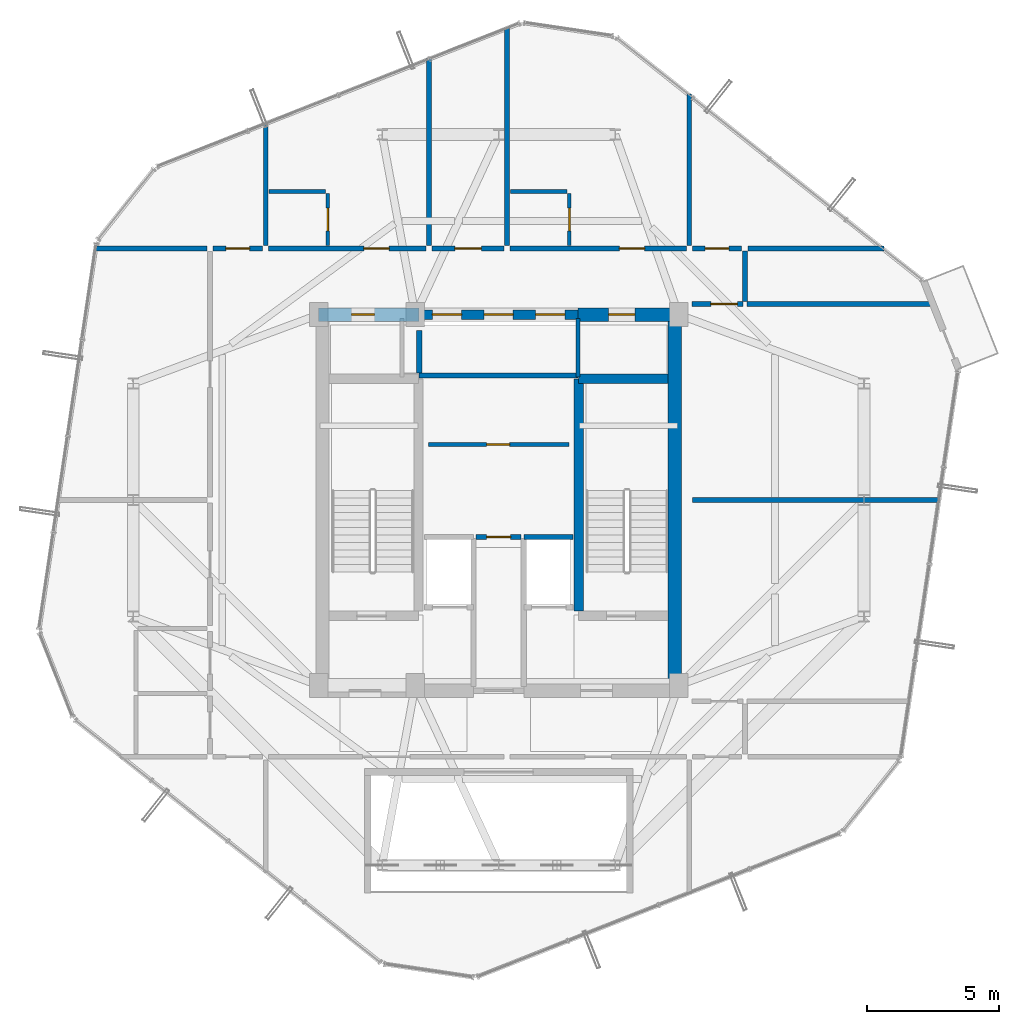
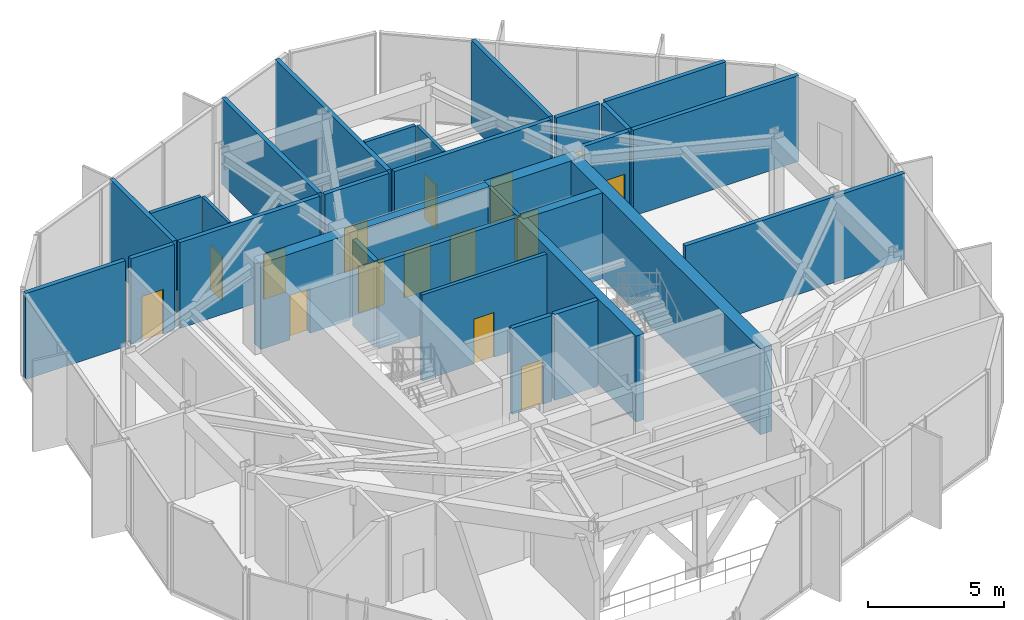
# One storey, part 19 of 22: 31 walls, 15 doors, 15 openings.
"""IFC4 building model written with IfcOpenShell, lengths in metres."""

from ifc_helpers import new_model, si_unit, direction, frame, frame_2d, origin, place, context, subcontext, project, spatial, rectangle, extrude, source, transform, mapped, material, layer, layer_set, type_object, element, fill, save


model = new_model("IFC4")

# Units and contexts
model_context = context("Model", 3, precision=1e-05, world=origin(), true_north=direction((0.0, 1.0)))
body_context = subcontext(model_context, "Body", "Model", "MODEL_VIEW")
ifc_project = project(units=[si_unit("LENGTHUNIT", "METRE"), si_unit("AREAUNIT", "SQUARE_METRE"), si_unit("VOLUMEUNIT", "CUBIC_METRE"), si_unit("PLANEANGLEUNIT", "RADIAN"), si_unit("MASSUNIT", "GRAM", prefix="KILO")], contexts=[model_context])

# Site, building, storey
site_placement = place(None, origin())
site = spatial("IfcSite", under=ifc_project, at=site_placement, CompositionType="ELEMENT")
building_placement = place(site_placement, origin())
building = spatial("IfcBuilding", under=site, at=building_placement, Name="Veraguas Prism Commons", CompositionType="ELEMENT")
storey_placement = place(building_placement, frame((0.0, 0.0, 236.550048828125)))
storey = spatial("IfcBuildingStorey", under=building, at=storey_placement, Name="L67", CompositionType="ELEMENT", Elevation=236.550048828125)

# Wall, openings, doors
ifc_material_1 = material(Name="Concrete C50/60", Category="concrete")
ifc_layer_1 = layer(ifc_material_1, 0.35009765625, Name="Core Internal Shear Wall Upper RC 350", Category="concrete")
ifc_layer_set_1 = layer_set([ifc_layer_1], Name="Concrete C50/60")
wall_type_1 = type_object("IfcWallType", Name="Core Internal Shear Wall Upper RC 350", PredefinedType="SHEAR", material=ifc_layer_set_1)
wall_1_placement = place(storey_placement, frame((21.0, 31.0, 0.0), z_axis=(0.0, 0.0, 1.0), x_axis=(1.0, 0.0, 0.0)))
wall_1 = element("IfcWall", 1, at=wall_1_placement, inside=storey, type_object=wall_type_1, Name="High-Rise Lift Bank Front Shear Wall L67", PredefinedType="SHEAR", context=body_context, shape_type="SweptSolid", body=[
    extrude(rectangle(XDim=6.0, YDim=0.35009765625, at=frame_2d((3.0, 0.0))), origin(), (0.0, 0.0, 1.0), 3.864990234375),
])
opening_1_placement = place(wall_1_placement, frame((0.5, 0.0, 0.0)))
opening_1 = element("IfcOpeningElement", 2, at=opening_1_placement, cuts=wall_1, Name="Opening LD-01", PredefinedType="OPENING", context=body_context, shape_type="SweptSolid", body=[
    extrude(rectangle(XDim=1.10009765625, YDim=2.080078125, at=frame_2d((0.550048828125, 1.0400390625))), frame((0.0, 0.18505859375, 0.0), z_axis=(0.0, -1.0, 0.0), x_axis=(1.0, 0.0, 0.0)), (0.0, 0.0, 1.0), 0.3701171875),
])
opening_2_placement = place(wall_1_placement, frame((2.449951171875, 0.0, 0.0)))
opening_2 = element("IfcOpeningElement", 3, at=opening_2_placement, cuts=wall_1, Name="Opening LD-01", PredefinedType="OPENING", context=body_context, shape_type="SweptSolid", body=[
    extrude(rectangle(XDim=1.10009765625, YDim=2.080078125, at=frame_2d((0.550048828125, 1.0400390625))), frame((0.0, 0.18505859375, 0.0), z_axis=(0.0, -1.0, 0.0), x_axis=(1.0, 0.0, 0.0)), (0.0, 0.0, 1.0), 0.3701171875),
])
opening_3_placement = place(wall_1_placement, frame((4.39990234375, 0.0, 0.0)))
opening_3 = element("IfcOpeningElement", 4, at=opening_3_placement, cuts=wall_1, Name="Opening LD-01", PredefinedType="OPENING", context=body_context, shape_type="SweptSolid", body=[
    extrude(rectangle(XDim=1.10009765625, YDim=2.080078125, at=frame_2d((0.550048828125, 1.0400390625))), frame((0.0, 0.18505859375, 0.0), z_axis=(0.0, -1.0, 0.0), x_axis=(1.0, 0.0, 0.0)), (0.0, 0.0, 1.0), 0.3701171875),
])
ifc_material_2 = material(Name="Stainless steel AISI 316", Category="steel")
door_type_1 = type_object("IfcDoorType", Name="Passenger Lift Sliding Landing Door 1100x2080", OperationType="NOTDEFINED", PredefinedType="DOOR", material=ifc_material_2)
shared_shape_1 = source(origin(), body_context, "Body", "SweptSolid", [
    extrude(rectangle(XDim=1.10009765625, YDim=2.080078125, at=frame_2d((0.550048828125, 1.0400390625))), frame((0.0, 0.02490234375, 0.0), z_axis=(0.0, -1.0, 0.0), x_axis=(1.0, 0.0, 0.0)), (0.0, 0.0, 1.0), 0.050048828125),
])
door_1_placement = place(opening_1_placement, origin())
door_1 = element("IfcDoor", 5, at=door_1_placement, inside=storey, type_object=door_type_1, Name="Sliding Landing Door PL-H1 L67", OperationType="SLIDING_TO_LEFT", OverallHeight=2.080078125, OverallWidth=1.10009765625, PredefinedType="DOOR", context=body_context, shape_type="MappedRepresentation", body=[
    mapped(shared_shape_1, transform((0.0, 0.0, 0.0), scale=1.0)),
])
fill(opening_1, door_1)
door_2_placement = place(opening_2_placement, origin())
door_2 = element("IfcDoor", 6, at=door_2_placement, inside=storey, type_object=door_type_1, Name="Sliding Landing Door PL-H2 L67", OperationType="SLIDING_TO_LEFT", OverallHeight=2.080078125, OverallWidth=1.10009765625, PredefinedType="DOOR", context=body_context, shape_type="MappedRepresentation", body=[
    mapped(shared_shape_1, transform((0.0, 0.0, 0.0), scale=1.0)),
])
fill(opening_2, door_2)
door_3_placement = place(opening_3_placement, origin())
door_3 = element("IfcDoor", 7, at=door_3_placement, inside=storey, type_object=door_type_1, Name="Sliding Landing Door PL-H3 L67", OperationType="SLIDING_TO_LEFT", OverallHeight=2.080078125, OverallWidth=1.10009765625, PredefinedType="DOOR", context=body_context, shape_type="MappedRepresentation", body=[
    mapped(shared_shape_1, transform((0.0, 0.0, 0.0), scale=1.0)),
])
fill(opening_3, door_3)

# Walls
wall_2_placement = place(storey_placement, frame((27.02490234375, 19.800048828125, 0.0), z_axis=(0.0, 0.0, 1.0), x_axis=(0.0, 1.0, 0.0)))
element("IfcWall", 8, at=wall_2_placement, inside=storey, type_object=wall_type_1, Name="Stair ST-02 Inner Shear Wall L67", PredefinedType="SHEAR", context=body_context, shape_type="SweptSolid", body=[
    extrude(rectangle(XDim=8.77490234375, YDim=0.35009765625, at=frame_2d((4.387451171875, 0.0))), origin(), (0.0, 0.0, 1.0), 3.864990234375),
])
wall_3_placement = place(storey_placement, frame((27.02490234375, 28.574951171875, 0.0), z_axis=(0.0, 0.0, 1.0), x_axis=(1.0, 0.0, 0.0)))
element("IfcWall", 9, at=wall_3_placement, inside=storey, type_object=wall_type_1, Name="Stair ST-02 North Shear Wall L67", PredefinedType="SHEAR", context=body_context, shape_type="SweptSolid", body=[
    extrude(rectangle(XDim=3.375, YDim=0.35009765625, at=frame_2d((1.6875, 0.0))), origin(), (0.0, 0.0, 1.0), 3.864990234375),
])
ifc_layer_2 = layer(ifc_material_1, 0.5, Name="Core Outer Shear Wall Upper RC 500", Category="concrete")
ifc_layer_set_2 = layer_set([ifc_layer_2], Name="Concrete C50/60")
wall_type_2 = type_object("IfcWallType", Name="Core Outer Shear Wall Upper RC 500", PredefinedType="SHEAR", material=ifc_layer_set_2)
wall_4_placement = place(storey_placement, frame((30.64990234375, 16.800048828125, 0.0), z_axis=(0.0, 0.0, 1.0), x_axis=(0.0, 1.0, 0.0)))
element("IfcWall", 10, at=wall_4_placement, inside=storey, type_object=wall_type_2, Name="Central Core East Shear Wall L67", PredefinedType="SHEAR", context=body_context, shape_type="SweptSolid", body=[
    extrude(rectangle(XDim=14.199951171875, YDim=0.5, at=frame_2d((7.10009765625, 0.0))), origin(), (0.0, 0.0, 1.0), 3.864990234375),
])

# Wall, opening, door
wall_5_placement = place(storey_placement, frame((17.199951171875, 31.0, 0.0), z_axis=(0.0, 0.0, 1.0), x_axis=(1.0, 0.0, 0.0)))
wall_5 = element("IfcWall", 11, at=wall_5_placement, inside=storey, type_object=wall_type_2, Name="Central Core North-West Shear Wall L67", PredefinedType="SHEAR", context=body_context, shape_type="SweptSolid", body=[
    extrude(rectangle(XDim=3.800048828125, YDim=0.5, at=frame_2d((1.89990234375, 0.0))), origin(), (0.0, 0.0, 1.0), 3.864990234375),
])
opening_4_placement = place(wall_5_placement, frame((1.25, 0.0, 0.0)))
opening_4 = element("IfcOpeningElement", 12, at=opening_4_placement, cuts=wall_5, Name="Opening DR-12", PredefinedType="OPENING", context=body_context, shape_type="SweptSolid", body=[
    extrude(rectangle(XDim=0.860107421875, YDim=2.010009765625, at=frame_2d((0.43017578125, 1.0048828125))), frame((0.0, 0.260009765625, 0.0), z_axis=(0.0, -1.0, 0.0), x_axis=(1.0, 0.0, 0.0)), (0.0, 0.0, 1.0), 0.52001953125),
])
ifc_material_3 = material(Name="Steel fire-rated door assembly", Category="steel")
door_type_2 = type_object("IfcDoorType", Name="Core WC Fire Door 860x2010", OperationType="NOTDEFINED", PredefinedType="DOOR", material=ifc_material_3)
shared_shape_2 = source(origin(), body_context, "Body", "SweptSolid", [
    extrude(rectangle(XDim=0.860107421875, YDim=2.010009765625, at=frame_2d((0.43017578125, 1.0048828125))), frame((0.0, 0.02490234375, 0.0), z_axis=(0.0, -1.0, 0.0), x_axis=(1.0, 0.0, 0.0)), (0.0, 0.0, 1.0), 0.050048828125),
])
door_4_placement = place(opening_4_placement, origin())
door_4 = element("IfcDoor", 13, at=door_4_placement, inside=storey, type_object=door_type_2, Name="Core NW Service Door L67", OperationType="SINGLE_SWING_LEFT", OverallHeight=2.010009765625, OverallWidth=0.860107421875, PredefinedType="DOOR", context=body_context, shape_type="MappedRepresentation", body=[
    mapped(shared_shape_2, transform((0.0, 0.0, 0.0), scale=1.0)),
])
fill(opening_4, door_4)

wall_6_placement = place(storey_placement, frame((27.0, 31.0, 0.0), z_axis=(0.0, 0.0, 1.0), x_axis=(1.0, 0.0, 0.0)))
wall_6 = element("IfcWall", 14, at=wall_6_placement, inside=storey, type_object=wall_type_2, Name="Central Core North-East Shear Wall L67", PredefinedType="SHEAR", context=body_context, shape_type="SweptSolid", body=[
    extrude(rectangle(XDim=3.800048828125, YDim=0.5, at=frame_2d((1.89990234375, 0.0))), origin(), (0.0, 0.0, 1.0), 3.864990234375),
])
opening_5_placement = place(wall_6_placement, frame((1.14990234375, 0.0, 0.0)))
opening_5 = element("IfcOpeningElement", 15, at=opening_5_placement, cuts=wall_6, Name="Opening DR-13", PredefinedType="OPENING", context=body_context, shape_type="SweptSolid", body=[
    extrude(rectangle(XDim=1.0, YDim=2.010009765625, at=frame_2d((0.5, 1.0048828125))), frame((0.0, 0.260009765625, 0.0), z_axis=(0.0, -1.0, 0.0), x_axis=(1.0, 0.0, 0.0)), (0.0, 0.0, 1.0), 0.52001953125),
])
door_type_3 = type_object("IfcDoorType", Name="Core Accessible WC and Clinic Fire Door 1000x2010", OperationType="NOTDEFINED", PredefinedType="DOOR", material=ifc_material_3)
shared_shape_3 = source(origin(), body_context, "Body", "SweptSolid", [
    extrude(rectangle(XDim=1.0, YDim=2.010009765625, at=frame_2d((0.5, 1.0048828125))), frame((0.0, 0.02490234375, 0.0), z_axis=(0.0, -1.0, 0.0), x_axis=(1.0, 0.0, 0.0)), (0.0, 0.0, 1.0), 0.050048828125),
])
door_5_placement = place(opening_5_placement, origin())
door_5 = element("IfcDoor", 16, at=door_5_placement, inside=storey, type_object=door_type_3, Name="Core NE Pantry Door L67", OperationType="SINGLE_SWING_RIGHT", OverallHeight=2.010009765625, OverallWidth=1.0, PredefinedType="DOOR", context=body_context, shape_type="MappedRepresentation", body=[
    mapped(shared_shape_3, transform((0.0, 0.0, 0.0), scale=1.0)),
])
fill(opening_5, door_5)

ifc_material_4 = material(Name="Autoclaved aerated masonry block 10 MPa", Category="masonry")
ifc_layer_3 = layer(ifc_material_4, 0.179931640625, Name="Corridor and Inter-Tenancy Partition 180", Category="masonry")
ifc_layer_set_3 = layer_set([ifc_layer_3], Name="Autoclaved aerated masonry block 10 MPa")
wall_type_3 = type_object("IfcWallType", Name="Corridor and Inter-Tenancy Partition 180", PredefinedType="PARTITIONING", material=ifc_layer_set_3)
wall_7_placement = place(storey_placement, frame((23.14990234375, 22.60009765625, 0.0), z_axis=(0.0, 0.0, 1.0), x_axis=(1.0, 0.0, 0.0)))
wall_7 = element("IfcWall", 17, at=wall_7_placement, inside=storey, type_object=wall_type_3, Name="Core Suite Entry Wall L67", PredefinedType="PARTITIONING", context=body_context, shape_type="SweptSolid", body=[
    extrude(rectangle(XDim=1.7001953125, YDim=0.179931640625, at=frame_2d((0.85009765625, 0.0))), origin(), (0.0, 0.0, 1.0), 3.864990234375),
])
opening_6_placement = place(wall_7_placement, frame((0.39990234375, 0.0, 0.0)))
opening_6 = element("IfcOpeningElement", 18, at=opening_6_placement, cuts=wall_7, Name="Opening DR-14", PredefinedType="OPENING", context=body_context, shape_type="SweptSolid", body=[
    extrude(rectangle(XDim=0.89990234375, YDim=2.010009765625, at=frame_2d((0.449951171875, 1.0048828125))), frame((0.0, 0.099853515625, 0.0), z_axis=(0.0, -1.0, 0.0), x_axis=(1.0, 0.0, 0.0)), (0.0, 0.0, 1.0), 0.199951171875),
])
door_type_4 = type_object("IfcDoorType", Name="Core Service Room Fire Door 900x2010", OperationType="NOTDEFINED", PredefinedType="DOOR", material=ifc_material_3)
shared_shape_4 = source(origin(), body_context, "Body", "SweptSolid", [
    extrude(rectangle(XDim=0.89990234375, YDim=2.010009765625, at=frame_2d((0.449951171875, 1.0048828125))), frame((0.0, 0.02490234375, 0.0), z_axis=(0.0, -1.0, 0.0), x_axis=(1.0, 0.0, 0.0)), (0.0, 0.0, 1.0), 0.050048828125),
])
door_6_placement = place(opening_6_placement, origin())
door_6 = element("IfcDoor", 19, at=door_6_placement, inside=storey, type_object=door_type_4, Name="Core Suite Entry Door L67", OperationType="SINGLE_SWING_LEFT", OverallHeight=2.010009765625, OverallWidth=0.89990234375, PredefinedType="DOOR", context=body_context, shape_type="MappedRepresentation", body=[
    mapped(shared_shape_4, transform((0.0, 0.0, 0.0), scale=1.0)),
])
fill(opening_6, door_6)

# Walls
wall_8_placement = place(storey_placement, frame((15.199951171875, 33.6201171875, 0.0), z_axis=(0.0, 0.0, 1.0), x_axis=(0.0, 1.0, 0.0)))
element("IfcWall", 20, at=wall_8_placement, inside=storey, type_object=wall_type_3, Name="WL-L67-PT005", PredefinedType="PARTITIONING", context=body_context, shape_type="SweptSolid", body=[
    extrude(rectangle(XDim=4.62744140625, YDim=0.179931640625, at=frame_2d((2.313720703125, 0.0))), origin(), (0.0, 0.0, 1.0), 3.864990234375),
])
wall_9_placement = place(storey_placement, frame((31.199951171875, 33.6201171875, 0.0), z_axis=(0.0, 0.0, 1.0), x_axis=(0.0, 1.0, 0.0)))
element("IfcWall", 21, at=wall_9_placement, inside=storey, type_object=wall_type_3, Name="WL-L67-PT006", PredefinedType="PARTITIONING", context=body_context, shape_type="SweptSolid", body=[
    extrude(rectangle(XDim=5.7109375, YDim=0.179931640625, at=frame_2d((2.85546875, 0.0))), origin(), (0.0, 0.0, 1.0), 3.864990234375),
])

# Wall, opening, door
wall_10_placement = place(storey_placement, frame((21.47998046875, 33.5, 0.0), z_axis=(0.0, 0.0, 1.0), x_axis=(1.0, 0.0, 0.0)))
wall_10 = element("IfcWall", 22, at=wall_10_placement, inside=storey, type_object=wall_type_3, Name="WL-L67-PT007", PredefinedType="PARTITIONING", context=body_context, shape_type="SweptSolid", body=[
    extrude(rectangle(XDim=2.72998046875, YDim=0.179931640625, at=frame_2d((1.364990234375, 0.0))), origin(), (0.0, 0.0, 1.0), 3.864990234375),
])
opening_7_placement = place(wall_10_placement, frame((0.864990234375, 0.0, 0.0)))
opening_7 = element("IfcOpeningElement", 23, at=opening_7_placement, cuts=wall_10, Name="Opening DR-13", PredefinedType="OPENING", context=body_context, shape_type="SweptSolid", body=[
    extrude(rectangle(XDim=1.0, YDim=2.010009765625, at=frame_2d((0.5, 1.0048828125))), frame((0.0, 0.099853515625, 0.0), z_axis=(0.0, -1.0, 0.0), x_axis=(1.0, 0.0, 0.0)), (0.0, 0.0, 1.0), 0.199951171875),
])
door_7_placement = place(opening_7_placement, origin())
door_7 = element("IfcDoor", 24, at=door_7_placement, inside=storey, type_object=door_type_3, Name="Quiet Study N Door", OperationType="SINGLE_SWING_LEFT", OverallHeight=2.010009765625, OverallWidth=1.0, PredefinedType="DOOR", context=body_context, shape_type="MappedRepresentation", body=[
    mapped(shared_shape_3, transform((0.0, 0.0, 0.0), scale=1.0)),
])
fill(opening_7, door_7)

# Wall
wall_11_placement = place(storey_placement, frame((21.3701171875, 33.6201171875, 0.0), z_axis=(0.0, 0.0, 1.0), x_axis=(0.0, 1.0, 0.0)))
element("IfcWall", 25, at=wall_11_placement, inside=storey, type_object=wall_type_3, Name="WL-L67-PT008", PredefinedType="PARTITIONING", context=body_context, shape_type="SweptSolid", body=[
    extrude(rectangle(XDim=7.065185546875, YDim=0.179931640625, at=frame_2d((3.53271484375, 0.0))), origin(), (0.0, 0.0, 1.0), 3.864990234375),
])

# Wall, opening, door
wall_12_placement = place(storey_placement, frame((15.31005859375, 33.5, 0.0), z_axis=(0.0, 0.0, 1.0), x_axis=(1.0, 0.0, 0.0)))
wall_12 = element("IfcWall", 26, at=wall_12_placement, inside=storey, type_object=wall_type_3, Name="WL-L67-PT009", PredefinedType="PARTITIONING", context=body_context, shape_type="SweptSolid", body=[
    extrude(rectangle(XDim=5.949951171875, YDim=0.179931640625, at=frame_2d((2.97509765625, 0.0))), origin(), (0.0, 0.0, 1.0), 3.864990234375),
])
opening_8_placement = place(wall_12_placement, frame((3.60400390625, 0.0, 0.0)))
opening_8 = element("IfcOpeningElement", 27, at=opening_8_placement, cuts=wall_12, Name="Opening DR-01", PredefinedType="OPENING", context=body_context, shape_type="SweptSolid", body=[
    extrude(rectangle(XDim=0.949951171875, YDim=2.02001953125, at=frame_2d((0.47509765625, 1.010009765625))), frame((0.0, 0.099853515625, 0.0), z_axis=(0.0, -1.0, 0.0), x_axis=(1.0, 0.0, 0.0)), (0.0, 0.0, 1.0), 0.199951171875),
])
ifc_material_5 = material(Name="Anodised aluminium EN AW-6063 T6", Category="aluminium")
door_type_5 = type_object("IfcDoorType", Name="Apartment Entrance Fire Door 950x2020", OperationType="NOTDEFINED", PredefinedType="DOOR", material=ifc_material_5)
shared_shape_5 = source(origin(), body_context, "Body", "SweptSolid", [
    extrude(rectangle(XDim=0.949951171875, YDim=2.02001953125, at=frame_2d((0.47509765625, 1.010009765625))), frame((0.0, 0.02490234375, 0.0), z_axis=(0.0, -1.0, 0.0), x_axis=(1.0, 0.0, 0.0)), (0.0, 0.0, 1.0), 0.050048828125),
])
door_8_placement = place(opening_8_placement, origin())
door_8 = element("IfcDoor", 28, at=door_8_placement, inside=storey, type_object=door_type_5, Name="Studio 67A Entrance Door", OperationType="SINGLE_SWING_RIGHT", OverallHeight=2.02001953125, OverallWidth=0.949951171875, PredefinedType="DOOR", context=body_context, shape_type="MappedRepresentation", body=[
    mapped(shared_shape_5, transform((0.0, 0.0, 0.0), scale=1.0)),
])
fill(opening_8, door_8)

# Wall
wall_13_placement = place(storey_placement, frame((24.320068359375, 33.6201171875, 0.0), z_axis=(0.0, 0.0, 1.0), x_axis=(0.0, 1.0, 0.0)))
element("IfcWall", 29, at=wall_13_placement, inside=storey, type_object=wall_type_3, Name="WL-L67-PT012", PredefinedType="PARTITIONING", context=body_context, shape_type="SweptSolid", body=[
    extrude(rectangle(XDim=8.23095703125, YDim=0.179931640625, at=frame_2d((4.115478515625, 0.0))), origin(), (0.0, 0.0, 1.0), 3.864990234375),
])

# Wall, opening, door
wall_14_placement = place(storey_placement, frame((24.429931640625, 33.5, 0.0), z_axis=(0.0, 0.0, 1.0), x_axis=(1.0, 0.0, 0.0)))
wall_14 = element("IfcWall", 30, at=wall_14_placement, inside=storey, type_object=wall_type_3, Name="WL-L67-PT013", PredefinedType="PARTITIONING", context=body_context, shape_type="SweptSolid", body=[
    extrude(rectangle(XDim=6.66015625, YDim=0.179931640625, at=frame_2d((3.330078125, 0.0))), origin(), (0.0, 0.0, 1.0), 3.864990234375),
])
opening_9_placement = place(wall_14_placement, frame((4.12939453125, 0.0, 0.0)))
opening_9 = element("IfcOpeningElement", 31, at=opening_9_placement, cuts=wall_14, Name="Opening DR-01", PredefinedType="OPENING", context=body_context, shape_type="SweptSolid", body=[
    extrude(rectangle(XDim=0.949951171875, YDim=2.02001953125, at=frame_2d((0.47509765625, 1.010009765625))), frame((0.0, 0.099853515625, 0.0), z_axis=(0.0, -1.0, 0.0), x_axis=(1.0, 0.0, 0.0)), (0.0, 0.0, 1.0), 0.199951171875),
])
door_9_placement = place(opening_9_placement, origin())
door_9 = element("IfcDoor", 32, at=door_9_placement, inside=storey, type_object=door_type_5, Name="Studio 67B Entrance Door", OperationType="SINGLE_SWING_RIGHT", OverallHeight=2.02001953125, OverallWidth=0.949951171875, PredefinedType="DOOR", context=body_context, shape_type="MappedRepresentation", body=[
    mapped(shared_shape_5, transform((0.0, 0.0, 0.0), scale=1.0)),
])
fill(opening_9, door_9)

# Walls
wall_15_placement = place(storey_placement, frame((12.97998046875, 33.5, 0.0), z_axis=(0.0, 0.0, 1.0), x_axis=(-1.0, 0.0, 0.0)))
element("IfcWall", 33, at=wall_15_placement, inside=storey, type_object=wall_type_3, Name="WL-L67-PT017", PredefinedType="PARTITIONING", context=body_context, shape_type="SweptSolid", body=[
    extrude(rectangle(XDim=4.2353515625, YDim=0.179931640625, at=frame_2d((2.11767578125, 0.0))), origin(), (0.0, 0.0, 1.0), 3.864990234375),
])
wall_16_placement = place(storey_placement, frame((31.320068359375, 24.0, 0.0), z_axis=(0.0, 0.0, 1.0), x_axis=(1.0, 0.0, 0.0)))
element("IfcWall", 34, at=wall_16_placement, inside=storey, type_object=wall_type_3, Name="WL-L67-PT027", PredefinedType="PARTITIONING", context=body_context, shape_type="SweptSolid", body=[
    extrude(rectangle(XDim=9.3447265625, YDim=0.179931640625, at=frame_2d((4.67236328125, 0.0))), origin(), (0.0, 0.0, 1.0), 3.864990234375),
])
wall_17_placement = place(storey_placement, frame((33.300048828125, 31.5, 0.0), z_axis=(0.0, 0.0, 1.0), x_axis=(0.0, 1.0, 0.0)))
element("IfcWall", 35, at=wall_17_placement, inside=storey, type_object=wall_type_3, Name="WL-L67-PT029", PredefinedType="PARTITIONING", context=body_context, shape_type="SweptSolid", body=[
    extrude(rectangle(XDim=1.89990234375, YDim=0.179931640625, at=frame_2d((0.949951171875, 0.0))), origin(), (0.0, 0.0, 1.0), 3.864990234375),
])

# Wall, opening, door
wall_18_placement = place(storey_placement, frame((31.300048828125, 31.39990234375, 0.0), z_axis=(0.0, 0.0, 1.0), x_axis=(1.0, 0.0, 0.0)))
wall_18 = element("IfcWall", 36, at=wall_18_placement, inside=storey, type_object=wall_type_3, Name="WL-L67-PT032", PredefinedType="PARTITIONING", context=body_context, shape_type="SweptSolid", body=[
    extrude(rectangle(XDim=1.919921875, YDim=0.179931640625, at=frame_2d((0.9599609375, 0.0))), origin(), (0.0, 0.0, 1.0), 3.864990234375),
])
opening_10_placement = place(wall_18_placement, frame((0.719970703125, 0.0, 0.0)))
opening_10 = element("IfcOpeningElement", 37, at=opening_10_placement, cuts=wall_18, Name="Opening DR-13", PredefinedType="OPENING", context=body_context, shape_type="SweptSolid", body=[
    extrude(rectangle(XDim=1.0, YDim=2.010009765625, at=frame_2d((0.5, 1.0048828125))), frame((0.0, 0.099853515625, 0.0), z_axis=(0.0, -1.0, 0.0), x_axis=(1.0, 0.0, 0.0)), (0.0, 0.0, 1.0), 0.199951171875),
])
door_10_placement = place(opening_10_placement, origin())
door_10 = element("IfcDoor", 38, at=door_10_placement, inside=storey, type_object=door_type_3, Name="Study Salon Door L67", OperationType="SINGLE_SWING_LEFT", OverallHeight=2.010009765625, OverallWidth=1.0, PredefinedType="DOOR", context=body_context, shape_type="MappedRepresentation", body=[
    mapped(shared_shape_3, transform((0.0, 0.0, 0.0), scale=1.0)),
])
fill(opening_10, door_10)

# Wall
wall_19_placement = place(storey_placement, frame((33.3798828125, 31.39990234375, 0.0), z_axis=(0.0, 0.0, 1.0), x_axis=(1.0, 0.0, 0.0)))
element("IfcWall", 39, at=wall_19_placement, inside=storey, type_object=wall_type_3, Name="WL-L67-PT033", PredefinedType="PARTITIONING", context=body_context, shape_type="SweptSolid", body=[
    extrude(rectangle(XDim=7.052001953125, YDim=0.179931640625, at=frame_2d((3.52587890625, 0.0))), origin(), (0.0, 0.0, 1.0), 3.864990234375),
])

# Wall, opening, door
wall_20_placement = place(storey_placement, frame((13.219970703125, 33.5, 0.0), z_axis=(0.0, 0.0, 1.0), x_axis=(1.0, 0.0, 0.0)))
wall_20 = element("IfcWall", 40, at=wall_20_placement, inside=storey, type_object=wall_type_3, Name="WL-L67-PT037", PredefinedType="PARTITIONING", context=body_context, shape_type="SweptSolid", body=[
    extrude(rectangle(XDim=1.860107421875, YDim=0.179931640625, at=frame_2d((0.93017578125, 0.0))), origin(), (0.0, 0.0, 1.0), 3.864990234375),
])
opening_11_placement = place(wall_20_placement, frame((0.47998046875, 0.0, 0.0)))
opening_11 = element("IfcOpeningElement", 41, at=opening_11_placement, cuts=wall_20, Name="Opening DR-14", PredefinedType="OPENING", context=body_context, shape_type="SweptSolid", body=[
    extrude(rectangle(XDim=0.89990234375, YDim=2.010009765625, at=frame_2d((0.449951171875, 1.0048828125))), frame((0.0, 0.099853515625, 0.0), z_axis=(0.0, -1.0, 0.0), x_axis=(1.0, 0.0, 0.0)), (0.0, 0.0, 1.0), 0.199951171875),
])
door_11_placement = place(opening_11_placement, origin())
door_11 = element("IfcDoor", 42, at=door_11_placement, inside=storey, type_object=door_type_4, Name="Residents Corner Study Room NW Door", OperationType="SINGLE_SWING_RIGHT", OverallHeight=2.010009765625, OverallWidth=0.89990234375, PredefinedType="DOOR", context=body_context, shape_type="MappedRepresentation", body=[
    mapped(shared_shape_4, transform((0.0, 0.0, 0.0), scale=1.0)),
])
fill(opening_11, door_11)

# Wall
wall_21_placement = place(storey_placement, frame((33.419921875, 33.5, 0.0), z_axis=(0.0, 0.0, 1.0), x_axis=(1.0, 0.0, 0.0)))
element("IfcWall", 43, at=wall_21_placement, inside=storey, type_object=wall_type_3, Name="WL-L67-PT038", PredefinedType="PARTITIONING", context=body_context, shape_type="SweptSolid", body=[
    extrude(rectangle(XDim=5.12646484375, YDim=0.179931640625, at=frame_2d((2.563232421875, 0.0))), origin(), (0.0, 0.0, 1.0), 3.864990234375),
])

# Wall, opening, door
wall_22_placement = place(storey_placement, frame((31.320068359375, 33.5, 0.0), z_axis=(0.0, 0.0, 1.0), x_axis=(1.0, 0.0, 0.0)))
wall_22 = element("IfcWall", 44, at=wall_22_placement, inside=storey, type_object=wall_type_3, Name="WL-L67-PT039", PredefinedType="PARTITIONING", context=body_context, shape_type="SweptSolid", body=[
    extrude(rectangle(XDim=1.85986328125, YDim=0.179931640625, at=frame_2d((0.929931640625, 0.0))), origin(), (0.0, 0.0, 1.0), 3.864990234375),
])
opening_12_placement = place(wall_22_placement, frame((0.47998046875, 0.0, 0.0)))
opening_12 = element("IfcOpeningElement", 45, at=opening_12_placement, cuts=wall_22, Name="Opening DR-14", PredefinedType="OPENING", context=body_context, shape_type="SweptSolid", body=[
    extrude(rectangle(XDim=0.89990234375, YDim=2.010009765625, at=frame_2d((0.449951171875, 1.0048828125))), frame((0.0, 0.099853515625, 0.0), z_axis=(0.0, -1.0, 0.0), x_axis=(1.0, 0.0, 0.0)), (0.0, 0.0, 1.0), 0.199951171875),
])
door_12_placement = place(opening_12_placement, origin())
door_12 = element("IfcDoor", 46, at=door_12_placement, inside=storey, type_object=door_type_4, Name="Community Co-op Kitchen NE Door", OperationType="SINGLE_SWING_LEFT", OverallHeight=2.010009765625, OverallWidth=0.89990234375, PredefinedType="DOOR", context=body_context, shape_type="MappedRepresentation", body=[
    mapped(shared_shape_4, transform((0.0, 0.0, 0.0), scale=1.0)),
])
fill(opening_12, door_12)

ifc_material_6 = material(Name="Lightweight acoustic gypsum board")
ifc_layer_4 = layer(ifc_material_6, 0.125, Name="Internal Apartment Room Partition 125")
ifc_layer_set_4 = layer_set([ifc_layer_4], Name="Lightweight acoustic gypsum board")
wall_type_4 = type_object("IfcWallType", Name="Internal Apartment Room Partition 125", PredefinedType="PARTITIONING", material=ifc_layer_set_4)
wall_23_placement = place(storey_placement, frame((17.550048828125, 33.6201171875, 0.0), z_axis=(0.0, 0.0, 1.0), x_axis=(0.0, 1.0, 0.0)))
wall_23 = element("IfcWall", 47, at=wall_23_placement, inside=storey, type_object=wall_type_4, Name="WL-L67-PT010", PredefinedType="PARTITIONING", context=body_context, shape_type="SweptSolid", body=[
    extrude(rectangle(XDim=1.949951171875, YDim=0.125, at=frame_2d((0.97509765625, 0.0))), origin(), (0.0, 0.0, 1.0), 3.864990234375),
])
opening_13_placement = place(wall_23_placement, frame((0.544921875, 0.0, 0.0)))
opening_13 = element("IfcOpeningElement", 48, at=opening_13_placement, cuts=wall_23, Name="Opening DR-03", PredefinedType="OPENING", context=body_context, shape_type="SweptSolid", body=[
    extrude(rectangle(XDim=0.860107421875, YDim=2.010009765625, at=frame_2d((0.43017578125, 1.0048828125))), frame((0.0, 0.072509765625, 0.0), z_axis=(0.0, -1.0, 0.0), x_axis=(1.0, 0.0, 0.0)), (0.0, 0.0, 1.0), 0.14501953125),
])
ifc_material_7 = material(Name="Timber moisture-resistant leaf", Category="wood")
door_type_6 = type_object("IfcDoorType", Name="Internal Bathroom Door 860x2010", OperationType="NOTDEFINED", PredefinedType="DOOR", material=ifc_material_7)
door_13_placement = place(opening_13_placement, origin())
door_13 = element("IfcDoor", 49, at=door_13_placement, inside=storey, type_object=door_type_6, Name="Studio 67A Bathroom Door", OperationType="SINGLE_SWING_LEFT", OverallHeight=2.010009765625, OverallWidth=0.860107421875, PredefinedType="DOOR", context=body_context, shape_type="MappedRepresentation", body=[
    mapped(shared_shape_2, transform((0.0, 0.0, 0.0), scale=1.0)),
])
fill(opening_13, door_13)

wall_24_placement = place(storey_placement, frame((26.669921875, 33.6201171875, 0.0), z_axis=(0.0, 0.0, 1.0), x_axis=(0.0, 1.0, 0.0)))
wall_24 = element("IfcWall", 50, at=wall_24_placement, inside=storey, type_object=wall_type_4, Name="WL-L67-PT014", PredefinedType="PARTITIONING", context=body_context, shape_type="SweptSolid", body=[
    extrude(rectangle(XDim=1.949951171875, YDim=0.125, at=frame_2d((0.97509765625, 0.0))), origin(), (0.0, 0.0, 1.0), 3.864990234375),
])
opening_14_placement = place(wall_24_placement, frame((0.544921875, 0.0, 0.0)))
opening_14 = element("IfcOpeningElement", 51, at=opening_14_placement, cuts=wall_24, Name="Opening DR-03", PredefinedType="OPENING", context=body_context, shape_type="SweptSolid", body=[
    extrude(rectangle(XDim=0.860107421875, YDim=2.010009765625, at=frame_2d((0.43017578125, 1.0048828125))), frame((0.0, 0.072509765625, 0.0), z_axis=(0.0, -1.0, 0.0), x_axis=(1.0, 0.0, 0.0)), (0.0, 0.0, 1.0), 0.14501953125),
])
door_14_placement = place(opening_14_placement, origin())
door_14 = element("IfcDoor", 52, at=door_14_placement, inside=storey, type_object=door_type_6, Name="Studio 67B Bathroom Door", OperationType="SINGLE_SWING_LEFT", OverallHeight=2.010009765625, OverallWidth=0.860107421875, PredefinedType="DOOR", context=body_context, shape_type="MappedRepresentation", body=[
    mapped(shared_shape_2, transform((0.0, 0.0, 0.0), scale=1.0)),
])
fill(opening_14, door_14)

# Walls
ifc_layer_5 = layer(ifc_material_4, 0.199951171875, Name="Rated Shaft and Lobby Block Wall 200", Category="masonry")
ifc_layer_set_5 = layer_set([ifc_layer_5], Name="Autoclaved aerated masonry block 10 MPa")
wall_type_5 = type_object("IfcWallType", Name="Rated Shaft and Lobby Block Wall 200", PredefinedType="SOLIDWALL", material=ifc_layer_set_5)
wall_25_placement = place(storey_placement, frame((24.949951171875, 22.60009765625, 0.0), z_axis=(0.0, 0.0, 1.0), x_axis=(1.0, 0.0, 0.0)))
element("IfcWall", 53, at=wall_25_placement, inside=storey, type_object=wall_type_5, Name="Firefighting Lift FFL-2 Rear Wall L67", PredefinedType="SOLIDWALL", context=body_context, shape_type="SweptSolid", body=[
    extrude(rectangle(XDim=1.85009765625, YDim=0.199951171875, at=frame_2d((0.925048828125, 0.0))), origin(), (0.0, 0.0, 1.0), 3.864990234375),
])
wall_26_placement = place(storey_placement, frame((21.0, 28.699951171875, 0.0), z_axis=(0.0, 0.0, 1.0), x_axis=(1.0, 0.0, 0.0)))
element("IfcWall", 54, at=wall_26_placement, inside=storey, type_object=wall_type_5, Name="High-Rise Lift Bank Rear Shaft Wall L67", PredefinedType="SOLIDWALL", context=body_context, shape_type="SweptSolid", body=[
    extrude(rectangle(XDim=6.0, YDim=0.199951171875, at=frame_2d((3.0, 0.0))), origin(), (0.0, 0.0, 1.0), 3.864990234375),
])
wall_27_placement = place(storey_placement, frame((21.0, 28.800048828125, 0.0), z_axis=(0.0, 0.0, 1.0), x_axis=(0.0, 1.0, 0.0)))
element("IfcWall", 55, at=wall_27_placement, inside=storey, type_object=wall_type_5, Name="High-Rise Lift Bank West Shaft Wall L67", PredefinedType="SOLIDWALL", context=body_context, shape_type="SweptSolid", body=[
    extrude(rectangle(XDim=1.599853515625, YDim=0.199951171875, at=frame_2d((0.7998046875, 0.0))), origin(), (0.0, 0.0, 1.0), 3.864990234375),
])
ifc_layer_6 = layer(ifc_material_6, 0.14990234375, Name="Wet Room and Clinic Acoustic Partition 150")
ifc_layer_set_6 = layer_set([ifc_layer_6], Name="Lightweight acoustic gypsum board")
wall_type_6 = type_object("IfcWallType", Name="Wet Room and Clinic Acoustic Partition 150", PredefinedType="PARTITIONING", material=ifc_layer_set_6)
wall_28_placement = place(storey_placement, frame((27.0, 28.64990234375, 0.0), z_axis=(0.0, 0.0, 1.0), x_axis=(0.0, 1.0, 0.0)))
element("IfcWall", 56, at=wall_28_placement, inside=storey, type_object=wall_type_6, Name="Core NE Service Inner Wall L67", PredefinedType="PARTITIONING", context=body_context, shape_type="SweptSolid", body=[
    extrude(rectangle(XDim=2.2001953125, YDim=0.14990234375, at=frame_2d((1.10009765625, 0.0))), origin(), (0.0, 0.0, 1.0), 3.864990234375),
])

# Wall, opening, door
wall_29_placement = place(storey_placement, frame((21.35009765625, 26.10009765625, 0.0), z_axis=(0.0, 0.0, 1.0), x_axis=(1.0, 0.0, 0.0)))
wall_29 = element("IfcWall", 57, at=wall_29_placement, inside=storey, type_object=wall_type_6, Name="WL-L67-FRWHM", PredefinedType="PARTITIONING", context=body_context, shape_type="SweptSolid", body=[
    extrude(rectangle(XDim=5.2998046875, YDim=0.14990234375, at=frame_2d((2.64990234375, 0.0))), origin(), (0.0, 0.0, 1.0), 3.864990234375),
])
opening_15_placement = place(wall_29_placement, frame((2.199951171875, 0.0, 0.0)))
opening_15 = element("IfcOpeningElement", 58, at=opening_15_placement, cuts=wall_29, Name="Opening DR-12", PredefinedType="OPENING", context=body_context, shape_type="SweptSolid", body=[
    extrude(rectangle(XDim=0.860107421875, YDim=2.010009765625, at=frame_2d((0.43017578125, 1.0048828125))), frame((0.0, 0.0849609375, 0.0), z_axis=(0.0, -1.0, 0.0), x_axis=(1.0, 0.0, 0.0)), (0.0, 0.0, 1.0), 0.169921875),
])
door_15_placement = place(opening_15_placement, origin())
door_15 = element("IfcDoor", 59, at=door_15_placement, inside=storey, type_object=door_type_2, Name="Archive Store Door L67", OperationType="SINGLE_SWING_RIGHT", OverallHeight=2.010009765625, OverallWidth=0.860107421875, PredefinedType="DOOR", context=body_context, shape_type="MappedRepresentation", body=[
    mapped(shared_shape_2, transform((0.0, 0.0, 0.0), scale=1.0)),
])
fill(opening_15, door_15)

# Walls
wall_30_placement = place(storey_placement, frame((15.320068359375, 35.64990234375, 0.0), z_axis=(0.0, 0.0, 1.0), x_axis=(1.0, 0.0, 0.0)))
element("IfcWall", 60, at=wall_30_placement, inside=storey, type_object=wall_type_6, Name="WL-L67-PT011", PredefinedType="PARTITIONING", context=body_context, shape_type="SweptSolid", body=[
    extrude(rectangle(XDim=2.14990234375, YDim=0.14990234375, at=frame_2d((1.074951171875, 0.0))), origin(), (0.0, 0.0, 1.0), 3.864990234375),
])
wall_31_placement = place(storey_placement, frame((24.43994140625, 35.64990234375, 0.0), z_axis=(0.0, 0.0, 1.0), x_axis=(1.0, 0.0, 0.0)))
element("IfcWall", 61, at=wall_31_placement, inside=storey, type_object=wall_type_6, Name="WL-L67-PT015", PredefinedType="PARTITIONING", context=body_context, shape_type="SweptSolid", body=[
    extrude(rectangle(XDim=2.150146484375, YDim=0.14990234375, at=frame_2d((1.0751953125, 0.0))), origin(), (0.0, 0.0, 1.0), 3.864990234375),
])

save(model, "model.ifc")
